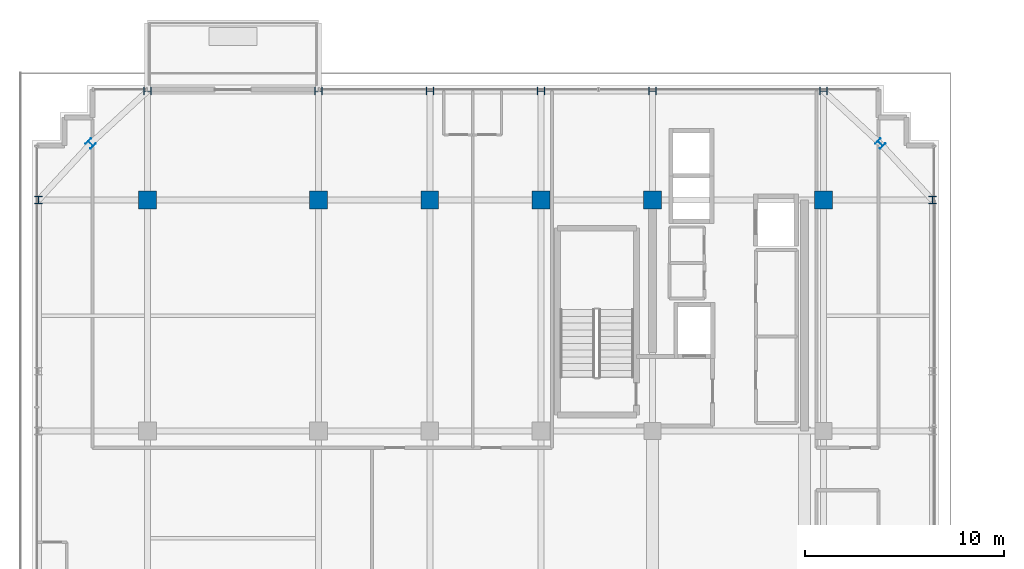
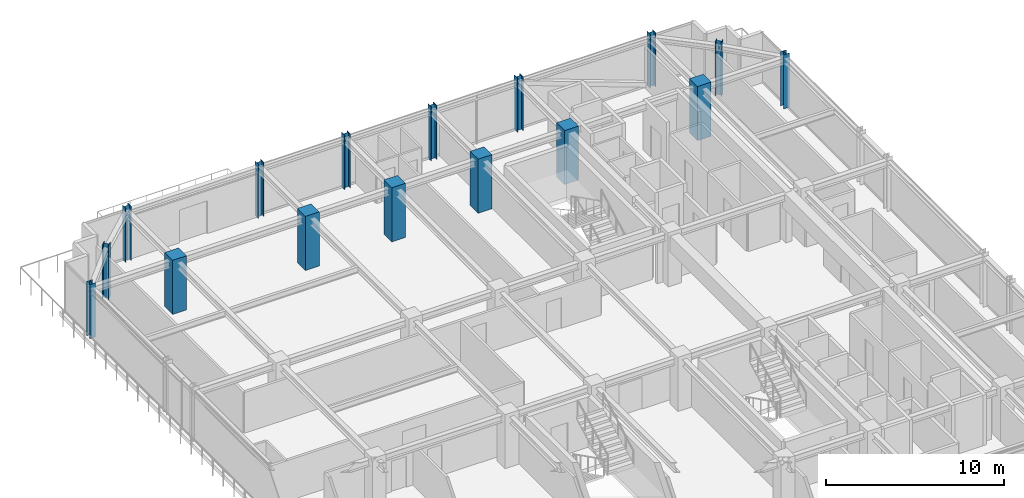
# One storey, part 3 of 32: 16 columns.
"""IFC4 building model written with IfcOpenShell, lengths in metres."""

from ifc_helpers import new_model, si_unit, direction, frame, origin, origin_2d, place, context, subcontext, project, spatial, rectangle, i_section, extrude, source, transform, mapped, material, material_profile, profile_set, type_object, element, save


model = new_model("IFC4")

# Units and contexts
model_context = context("Model", 3, precision=1e-05, world=origin(), true_north=direction((0.0, 1.0)))
body_context = subcontext(model_context, "Body", "Model", "MODEL_VIEW")
ifc_project = project(units=[si_unit("LENGTHUNIT", "METRE"), si_unit("AREAUNIT", "SQUARE_METRE"), si_unit("VOLUMEUNIT", "CUBIC_METRE"), si_unit("PLANEANGLEUNIT", "RADIAN"), si_unit("MASSUNIT", "GRAM", prefix="KILO")], contexts=[model_context])

# Site, building, storey
site_placement = place(None, origin())
site = spatial("IfcSite", under=ifc_project, at=site_placement, CompositionType="ELEMENT")
building_placement = place(site_placement, origin())
building = spatial("IfcBuilding", under=site, at=building_placement, Name="Nahalor Promenade Grand Hotel", CompositionType="ELEMENT")
storey_placement = place(building_placement, frame((0.0, 0.0, 266.300048828125)))
storey = spatial("IfcBuildingStorey", under=building, at=storey_placement, Name="L68", CompositionType="ELEMENT", Elevation=266.300048828125)

# Columns
ifc_material_1 = material(Name="Concrete B-50 (C40/50)", Category="concrete")
ifc_material_profile_1 = material_profile(ifc_material_1, rectangle(XDim=0.9, YDim=0.9, at=origin_2d()), Name="RC 900x900")
ifc_profile_set_1 = profile_set([ifc_material_profile_1], Name="Concrete B-50 (C40/50)")
column_type_1 = type_object("IfcColumnType", Name="Col-RC-900", PredefinedType="COLUMN", material=ifc_profile_set_1)
shared_shape_1 = source(origin(), body_context, "Body", "SweptSolid", [
    extrude(rectangle(XDim=0.9, YDim=0.9, at=origin_2d()), origin(), (0.0, 0.0, 1.0), 3.704833984375),
])
for number, where, z_axis, x_axis, name in (
    (1, (-17.0, 17.0, 0.0), (0.0, 0.0, 1.0), (1.0, 0.0, 0.0), "COL-L68-I03"),
    (2, (-8.39990234375, 17.0, 0.0), (0.0, 0.0, 1.0), (1.0, 0.0, 0.0), "COL-L68-I13"),
    (3, (-2.800048828125, 17.0, 0.0), (0.0, 0.0, 1.0), (1.0, 0.0, 0.0), "COL-L68-I23"),
    (4, (2.800048828125, 17.0, 0.0), (0.0, 0.0, 1.0), (1.0, 0.0, 0.0), "COL-L68-I33"),
    (5, (8.39990234375, 17.0, 0.0), (0.0, 0.0, 1.0), (1.0, 0.0, 0.0), "COL-L68-I43"),
    (6, (17.0, 17.0, 0.0), (0.0, 0.0, 1.0), (1.0, 0.0, 0.0), "COL-L68-I53"),
):
    element("IfcColumn", number, at=place(storey_placement, frame(where, z_axis=z_axis, x_axis=x_axis)), inside=storey, type_object=column_type_1, Name=name, PredefinedType="COLUMN", context=body_context, shape_type="MappedRepresentation", body=[
        mapped(shared_shape_1, transform((0.0, 0.0, 0.0), scale=1.0)),
    ])
ifc_material_2 = material(Name="Steel S355JR", Category="steel")
ifc_material_profile_2 = material_profile(ifc_material_2, i_section(OverallWidth=0.374, OverallDepth=0.374, WebThickness=0.0144, FlangeThickness=0.0229, at=origin_2d()), Name="HD 360x262")
ifc_profile_set_2 = profile_set([ifc_material_profile_2], Name="Steel S355JR")
column_type_2 = type_object("IfcColumnType", Name="Col-Steel-HD262", PredefinedType="COLUMN", material=ifc_profile_set_2)
shared_shape_2 = source(origin(), body_context, "Body", "SweptSolid", [
    extrude(i_section(OverallWidth=0.374, OverallDepth=0.374, WebThickness=0.0144, FlangeThickness=0.0229, at=origin_2d()), origin(), (0.0, 0.0, 1.0), 3.704833984375),
])
for number, where, z_axis, x_axis, name in (
    (7, (-22.47998046875, 17.0, 0.0), (0.0, 0.0, 1.0), (1.0, 0.0, 0.0), "COL-L68-PW-W5"),
    (8, (22.47998046875, 17.0, 0.0), (0.0, 0.0, 1.0), (1.0, 0.0, 0.0), "COL-L68-PW-E5"),
    (9, (-17.0, 22.47998046875, 0.0), (0.0, 0.0, 1.0), (0.0, 1.0, 0.0), "COL-L68-PN-N0"),
    (10, (-8.39990234375, 22.47998046875, 0.0), (0.0, 0.0, 1.0), (0.0, 1.0, 0.0), "COL-L68-PN-N1"),
    (11, (-2.800048828125, 22.47998046875, 0.0), (0.0, 0.0, 1.0), (0.0, 1.0, 0.0), "COL-L68-PN-N2"),
    (12, (2.800048828125, 22.47998046875, 0.0), (0.0, 0.0, 1.0), (0.0, 1.0, 0.0), "COL-L68-PN-N3"),
    (13, (8.39990234375, 22.47998046875, 0.0), (0.0, 0.0, 1.0), (0.0, 1.0, 0.0), "COL-L68-PN-N4"),
    (14, (17.0, 22.47998046875, 0.0), (0.0, 0.0, 1.0), (0.0, 1.0, 0.0), "COL-L68-PN-N5"),
    (15, (-19.85009765625, 19.85009765625, 0.0), (0.0, 0.0, 1.0), (0.707106781187, 0.707106781187, 0.0), "COL-L68-CRN-NW"),
    (16, (19.85009765625, 19.85009765625, 0.0), (0.0, 0.0, 1.0), (0.707106781187, 0.707106781187, 0.0), "COL-L68-CRN-NE"),
):
    element("IfcColumn", number, at=place(storey_placement, frame(where, z_axis=z_axis, x_axis=x_axis)), inside=storey, type_object=column_type_2, Name=name, PredefinedType="COLUMN", context=body_context, shape_type="MappedRepresentation", body=[
        mapped(shared_shape_2, transform((0.0, 0.0, 0.0), scale=1.0)),
    ])

save(model, "model.ifc")
